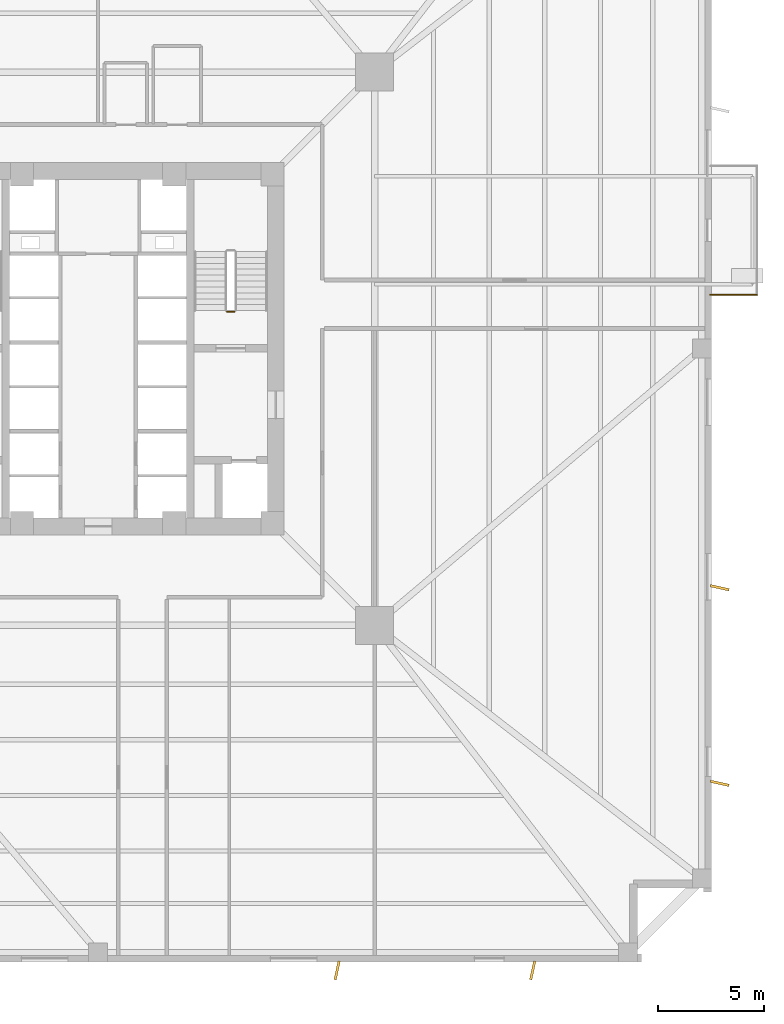
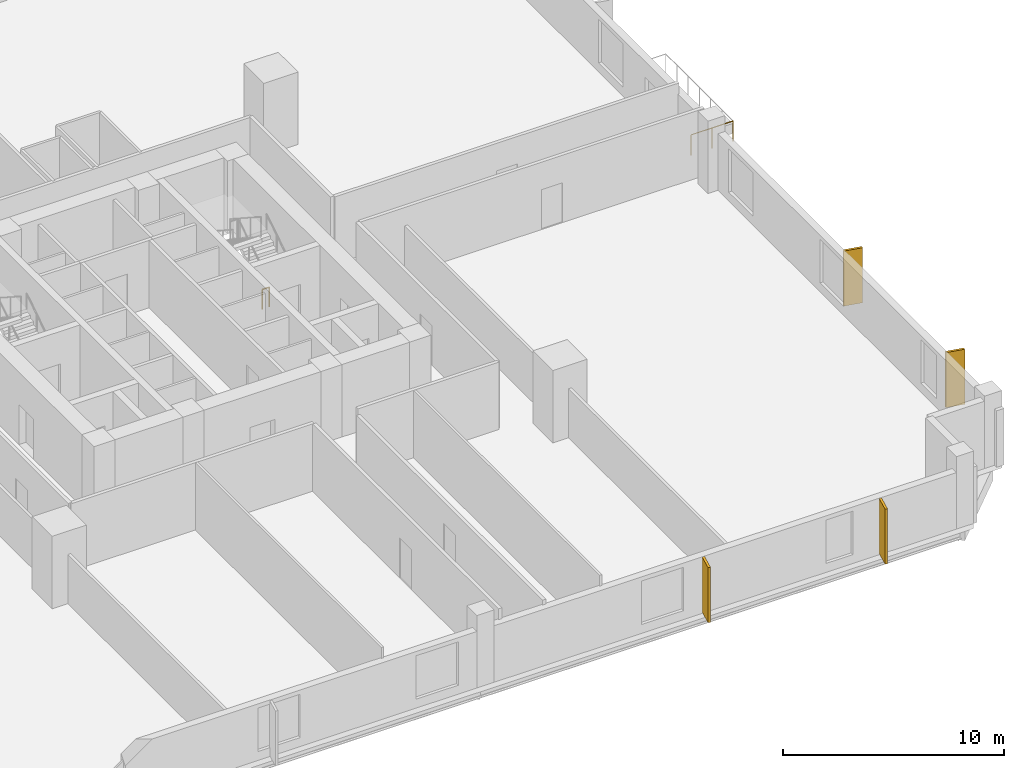
# One storey, part 7 of 9: 4 coverings, 2 railings.
"""IFC4 building model written with IfcOpenShell, lengths in metres."""

from ifc_helpers import new_model, si_unit, direction, frame, origin, origin_2d, place, context, subcontext, project, spatial, rectangle, circle, extrude, source, transform, mapped, material, layer, layer_set, type_object, element, save


model = new_model("IFC4")

# Units and contexts
model_context = context("Model", 3, precision=1e-05, world=origin(), true_north=direction((0.0, 1.0)))
body_context = subcontext(model_context, "Body", "Model", "MODEL_VIEW")
ifc_project = project(units=[si_unit("LENGTHUNIT", "METRE"), si_unit("AREAUNIT", "SQUARE_METRE"), si_unit("VOLUMEUNIT", "CUBIC_METRE"), si_unit("PLANEANGLEUNIT", "RADIAN"), si_unit("MASSUNIT", "GRAM", prefix="KILO"), si_unit("THERMODYNAMICTEMPERATUREUNIT", "KELVIN")], contexts=[model_context])

# Site, building, storey
site_placement = place(None, origin())
site = spatial("IfcSite", under=ifc_project, at=site_placement, CompositionType="ELEMENT")
building_placement = place(site_placement, origin())
building = spatial("IfcBuilding", under=site, at=building_placement, Name="Kosmvard Interchange Tower", CompositionType="ELEMENT")
storey_placement = place(building_placement, frame((0.0, 0.0, 58.0)))
storey = spatial("IfcBuildingStorey", under=building, at=storey_placement, Name="L13", CompositionType="ELEMENT", Elevation=58.0)

# Coverings
ifc_material_1 = material(Name="Architectural anodised aluminium", Category="aluminium")
ifc_layer = layer(ifc_material_1, 0.1201171875, Name="Architectural anodised aluminium")
ifc_layer_set = layer_set([ifc_layer], Name="Architectural anodised aluminium")
covering_type = type_object("IfcCoveringType", Name="Rotating Vertical Sun-Breaker Fin 900x120 Aluminium", PredefinedType="CLADDING", material=ifc_layer_set)
shared_shape_1 = source(origin(), body_context, "Body", "SweptSolid", [
    extrude(rectangle(XDim=0.89990234375, YDim=0.1201171875, at=origin_2d()), origin(), (0.0, 0.0, 1.0), 3.0400390625),
])
for number, where, z_axis, x_axis, name in (
    (1, (11.3037109375, -29.39990234375, 0.0400390625), (0.0, 0.0, 1.0), (-0.214564862428, -0.976709741843, 0.0), "L13 Rotating Vertical Sun-Breaker Fin 03"),
    (2, (20.552001953125, -29.39990234375, 0.0400390625), (0.0, 0.0, 1.0), (-0.214564862428, -0.976709741843, 0.0), "L13 Rotating Vertical Sun-Breaker Fin 04"),
    (3, (29.39990234375, -20.552001953125, 0.0400390625), (0.0, 0.0, 1.0), (0.976709741843, -0.214564862428, 0.0), "L13 Rotating Vertical Sun-Breaker Fin 05"),
    (4, (29.39990234375, -11.3037109375, 0.0400390625), (0.0, 0.0, 1.0), (0.976709741843, -0.214564862428, 0.0), "L13 Rotating Vertical Sun-Breaker Fin 06"),
):
    element("IfcCovering", number, at=place(storey_placement, frame(where, z_axis=z_axis, x_axis=x_axis)), inside=storey, type_object=covering_type, Name=name, PredefinedType="CLADDING", context=body_context, shape_type="MappedRepresentation", body=[
        mapped(shared_shape_1, transform((0.0, 0.0, 0.0), scale=1.0)),
    ])

# Railings
ifc_material_2 = material(Name="Steel S355", Category="steel")
railing_type_1 = type_object("IfcRailingType", Name="Observation & Balcony Glass-Infill Balustrade 1150", PredefinedType="BALUSTRADE", material=ifc_material_2)
shared_shape_2 = source(origin(), body_context, "Body", "SweptSolid", [
    extrude(circle(Radius=0.02392578125, at=origin_2d()), frame((0.0, 0.0, 1.1259765625), z_axis=(1.0, 0.0, 0.0), x_axis=(0.0, 1.0, 0.0)), (0.0, 0.0, 1.0), 2.199951171875),
    extrude(circle(Radius=0.02099609375, at=origin_2d()), origin(), (0.0, 0.0, 1.0), 1.101806640625),
    extrude(circle(Radius=0.02099609375, at=origin_2d()), frame((1.10009765625, 0.0, 0.0)), (0.0, 0.0, 1.0), 1.101806640625),
    extrude(circle(Radius=0.02099609375, at=origin_2d()), frame((2.199951171875, 0.0, 0.0)), (0.0, 0.0, 1.0), 1.101806640625),
])
railing_1_placement = place(storey_placement, frame((28.949951171875, 2.550048828125, 0.0)))
element("IfcRailing", 5, at=railing_1_placement, inside=storey, type_object=railing_type_1, Name="L13 Outdoor Terrace Guard BAL-L13-E-A", PredefinedType="BALUSTRADE", context=body_context, shape_type="MappedRepresentation", body=[
    mapped(shared_shape_2, transform((0.0, 0.0, 0.0), scale=1.0)),
])
railing_type_2 = type_object("IfcRailingType", Name="Stair & Terrace Safety Guardrail 1100 Steel", PredefinedType="GUARDRAIL", material=ifc_material_2)
shared_shape_3 = source(origin(), body_context, "Body", "SweptSolid", [
    extrude(circle(Radius=0.02392578125, at=origin_2d()), frame((0.0, 0.0, 1.076171875), z_axis=(-1.0, 0.0, 0.0), x_axis=(0.0, -1.0, 0.0)), (0.0, 0.0, 1.0), 0.35986328125),
    extrude(circle(Radius=0.02099609375, at=origin_2d()), origin(), (0.0, 0.0, 1.0), 1.052001953125),
    extrude(circle(Radius=0.02099609375, at=origin_2d()), frame((-0.35986328125, 0.0, 0.0)), (0.0, 0.0, 1.0), 1.052001953125),
])
railing_2_placement = place(storey_placement, frame((6.449951171875, 1.75, 0.0)))
element("IfcRailing", 6, at=railing_2_placement, inside=storey, type_object=railing_type_2, Name="L13 ST-2 stair guard 4", PredefinedType="GUARDRAIL", context=body_context, shape_type="MappedRepresentation", body=[
    mapped(shared_shape_3, transform((0.0, 0.0, 0.0), scale=1.0)),
])

save(model, "model.ifc")
